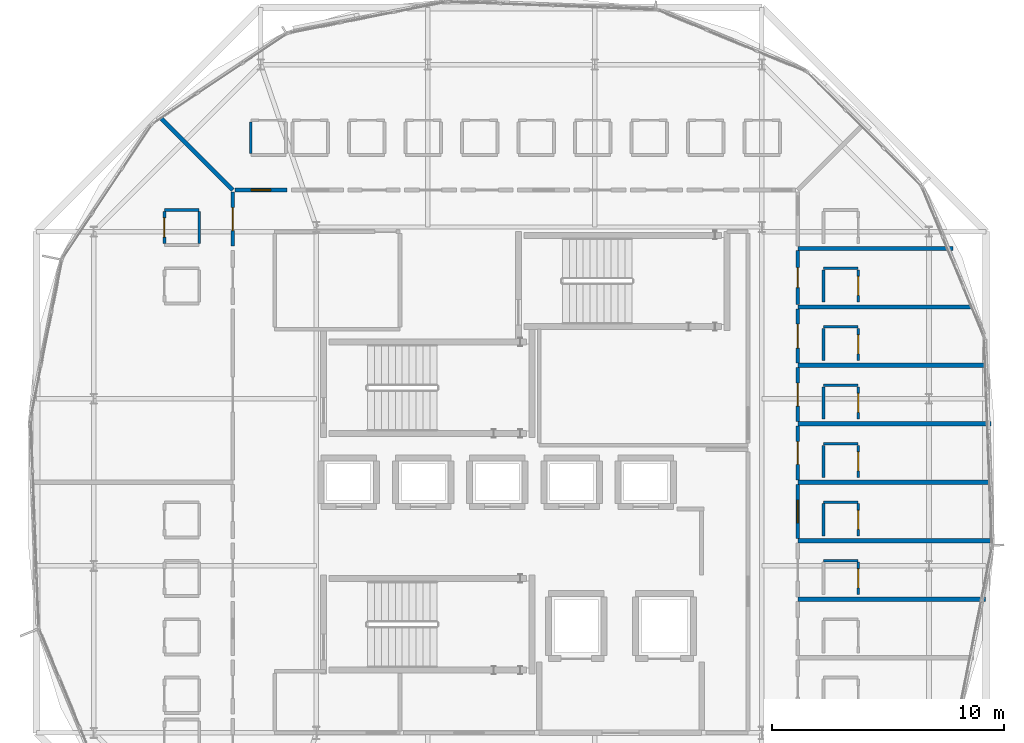
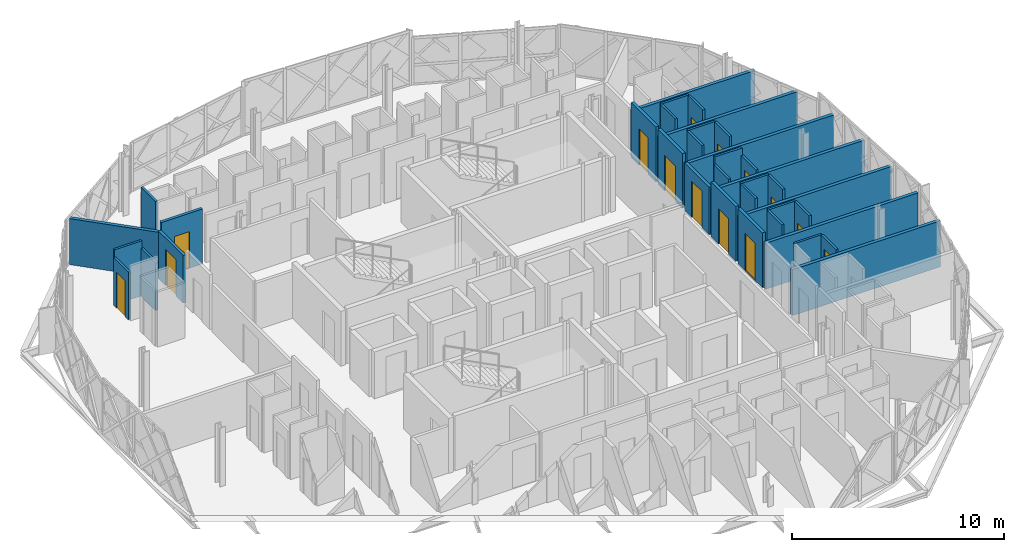
# One storey, part 17 of 24: 36 walls, 14 doors, 14 openings.
"""IFC4 building model written with IfcOpenShell, lengths in metres."""

import ifcopenshell
import ifcopenshell.guid

model = None  # the IFC model being written
_history = None  # IfcOwnerHistory: only IFC2X3 demands one
_inside = {}  # id of a spatial element -> (the spatial element, [elements in it])
_under = {}  # id of a project, library or spatial element -> (it, [spatial elements below it])
_declared = {}  # id of a project -> (the project, [libraries it declares])
_typed = {}  # id of a type object -> (the type object, [elements of that type])
_made_of = {}  # id of a material, layer set ... -> (it, [elements and type objects made of it])


def new_model(schema):
    """Start an empty IFC model of exactly this schema.

    Asked for "IFC4X3", IfcOpenShell would pick the latest addendum, in which some entities
    have other attributes; the version numbers below select the first issue.
    IFC2X3 requires an IfcOwnerHistory on every rooted entity: one is made here for all.
    """
    global model, _history
    if schema == "IFC4X3":
        model = ifcopenshell.file(schema_version=(4, 3, 0, 0))
    else:
        model = ifcopenshell.file(schema=schema)
    _inside.clear()
    _under.clear()
    _declared.clear()
    _typed.clear()
    _made_of.clear()
    _history = None
    if model.schema == "IFC2X3":
        org = make("IfcOrganization", Name="unknown")
        user = make(
            "IfcPersonAndOrganization",
            ThePerson=make("IfcPerson", FamilyName="unknown"),
            TheOrganization=org,
        )
        app = make(
            "IfcApplication",
            ApplicationDeveloper=org,
            Version="unknown",
            ApplicationFullName="unknown",
            ApplicationIdentifier="unknown",
        )
        _history = make(
            "IfcOwnerHistory",
            OwningUser=user,
            OwningApplication=app,
            ChangeAction="ADDED",
            CreationDate=0,
        )
    return model


def make(cls, **values):
    """One entity of the class cls with the attributes given. An attribute that is None is left unset."""
    return model.create_entity(
        cls, **{name: value for name, value in values.items() if value is not None}
    )


def rooted(cls, **values):
    """An entity with a GlobalId (a new one), such as an element, a storey or a relation."""
    return make(cls, GlobalId=ifcopenshell.guid.new(), OwnerHistory=_history, **values)


def si_unit(unit_type, name, prefix=None):
    """IfcSIUnit, for example si_unit("LENGTHUNIT", "METRE", prefix="MILLI")."""
    return make("IfcSIUnit", UnitType=unit_type, Prefix=prefix, Name=name)


def assignment(units):
    """IfcUnitAssignment: the units of a project."""
    return None if units is None else make("IfcUnitAssignment", Units=units)


def point(xyz):
    """IfcCartesianPoint."""
    return None if xyz is None else make("IfcCartesianPoint", Coordinates=xyz)


def direction(xyz):
    """IfcDirection."""
    return None if xyz is None else make("IfcDirection", DirectionRatios=xyz)


def frame(location, z_axis=None, x_axis=None):
    """IfcAxis2Placement3D, a coordinate frame: its origin and axes. An axis left out is left unset."""
    return make(
        "IfcAxis2Placement3D",
        Location=point(location),
        Axis=direction(z_axis),
        RefDirection=direction(x_axis),
    )


def frame_2d(location, x_axis=None):
    """IfcAxis2Placement2D, a coordinate frame in the plane: its origin and x axis."""
    return make(
        "IfcAxis2Placement2D", Location=point(location), RefDirection=direction(x_axis)
    )


def origin():
    """The frame at (0, 0, 0) with its axes left unset."""
    return frame((0.0, 0.0, 0.0))


def place(relative_to, where):
    """IfcLocalPlacement: puts the frame where relative to a parent placement (None: the world)."""
    return make(
        "IfcLocalPlacement", PlacementRelTo=relative_to, RelativePlacement=where
    )


def context(
    kind, dimensions, precision=None, world=None, true_north=None, identifier=None
):
    """IfcGeometricRepresentationContext, for example the 3D "Model" context."""
    return make(
        "IfcGeometricRepresentationContext",
        ContextIdentifier=identifier,
        ContextType=kind,
        CoordinateSpaceDimension=dimensions,
        Precision=precision,
        WorldCoordinateSystem=world,
        TrueNorth=true_north,
    )


def subcontext(parent, identifier, kind, view, scale=None):
    """IfcGeometricRepresentationSubContext, for example "Body" below "Model"."""
    return make(
        "IfcGeometricRepresentationSubContext",
        ContextIdentifier=identifier,
        ContextType=kind,
        ParentContext=parent,
        TargetScale=scale,
        TargetView=view,
    )


def project(units=None, contexts=None):
    """IfcProject with its units and contexts."""
    return rooted(
        "IfcProject",
        Name="project",
        RepresentationContexts=contexts,
        UnitsInContext=assignment(units),
    )


def spatial(cls, under=None, at=None, **own):
    """A site, building, storey or space (cls), placed at a placement, below another one or the project."""
    s = rooted(cls, ObjectPlacement=at, **own)
    if under is not None:
        _under.setdefault(under.id(), (under, []))[1].append(s)
    return s


def profile(cls, at=None, kind="AREA", **sizes):
    """A parametric profile (cls). Its sizes go by their IFC names, for example OverallWidth=200.0."""
    return make(cls, ProfileType=kind, Position=at, **sizes)


def rectangle(**sizes):
    """IfcRectangleProfileDef."""
    return profile("IfcRectangleProfileDef", **sizes)


def extrude(swept, where, along, depth):
    """IfcExtrudedAreaSolid: the profile swept, set in the frame where, extruded along a direction by depth."""
    return make(
        "IfcExtrudedAreaSolid",
        SweptArea=swept,
        Position=where,
        ExtrudedDirection=direction(along),
        Depth=depth,
    )


def shape(context_of_items, identifier, shape_type, items):
    """IfcShapeRepresentation: the items that make up one representation, for example the "Body"."""
    return make(
        "IfcShapeRepresentation",
        ContextOfItems=context_of_items,
        RepresentationIdentifier=identifier,
        RepresentationType=shape_type,
        Items=items,
    )


def material(Name=None, Category=None):
    """IfcMaterial."""
    return make("IfcMaterial", Name=Name, Category=Category)


def layer(
    of_material, thickness, ventilated=None, Name=None, Category=None, Priority=None
):
    """IfcMaterialLayer: one layer of a wall or slab, of a material (None: an air gap)."""
    return make(
        "IfcMaterialLayer",
        Material=of_material,
        LayerThickness=thickness,
        IsVentilated=ventilated,
        Name=Name,
        Category=Category,
        Priority=Priority,
    )


def layer_set(layers, Name=None):
    """IfcMaterialLayerSet."""
    return make("IfcMaterialLayerSet", MaterialLayers=layers, LayerSetName=Name)


def made_of(thing, what):
    """Note that an element or type object is made of a material, layer set ...; save() writes the relation."""
    if what is not None:
        _made_of.setdefault(what.id(), (what, []))[1].append(thing)
    return thing


def type_object(cls, material=None, **own):
    """A type object (cls), such as IfcWallType, which elements share."""
    return made_of(rooted(cls, **own), material)


def element(
    cls,
    number,
    at=None,
    inside=None,
    cuts=None,
    type_object=None,
    material=None,
    context=None,
    identifier="Body",
    shape_type=None,
    held_by="IfcProductDefinitionShape",
    body=None,
    shapes=None,
    **own,
):
    """One element of the class cls, such as IfcWall. Its Tag is "e" and its number.

    at: its placement. inside: the storey or other place that contains it. cuts: it is an
    opening in that element (IfcRelVoidsElement). A single representation is given by context,
    identifier, shape_type and body (its items); several are given by shapes. held_by: the class
    of the entity that holds the representations. save() writes the other relations.
    """
    e = rooted(cls, Tag="e%d" % number, ObjectPlacement=at, **own)
    if body is not None:
        shapes = [shape(context, identifier, shape_type, body)]
    if shapes is not None:
        e.Representation = make(held_by, Representations=shapes)
    if inside is not None:
        _inside.setdefault(inside.id(), (inside, []))[1].append(e)
    if cuts is not None:
        rooted(
            "IfcRelVoidsElement", RelatingBuildingElement=cuts, RelatedOpeningElement=e
        )
    if type_object is not None:
        _typed.setdefault(type_object.id(), (type_object, []))[1].append(e)
    return made_of(e, material)


def fill(opening, filler):
    """IfcRelFillsElement: the door or window that sits in an opening."""
    return rooted(
        "IfcRelFillsElement",
        RelatingOpeningElement=opening,
        RelatedBuildingElement=filler,
    )


def aggregate(whole, parts):
    """IfcRelAggregates: a whole, such as a stair, and the parts it consists of."""
    return rooted("IfcRelAggregates", RelatingObject=whole, RelatedObjects=parts)


def save(model, path):
    """Write the relations noted so far, then the file.

    IfcRelAggregates (storeys below a building ...), IfcRelContainedInSpatialStructure (elements
    in a storey), IfcRelDefinesByType, IfcRelAssociatesMaterial and IfcRelDeclares: one each for
    every whole, place, type object, material and project.
    """
    for whole, parts in _under.values():
        aggregate(whole, parts)
    for where, things in _inside.values():
        rooted(
            "IfcRelContainedInSpatialStructure",
            RelatedElements=things,
            RelatingStructure=where,
        )
    for kind, things in _typed.values():
        rooted("IfcRelDefinesByType", RelatedObjects=things, RelatingType=kind)
    for what, things in _made_of.values():
        rooted("IfcRelAssociatesMaterial", RelatedObjects=things, RelatingMaterial=what)
    for by, libraries in _declared.values():
        rooted("IfcRelDeclares", RelatingContext=by, RelatedDefinitions=libraries)
    model.write(path)


model = new_model("IFC4")

# Units and contexts
model_context = context("Model", 3, precision=1e-05, world=origin(), true_north=direction((0.0, 1.0)))
body_context = subcontext(model_context, "Body", "Model", "MODEL_VIEW")
ifc_project = project(units=[si_unit("LENGTHUNIT", "METRE"), si_unit("AREAUNIT", "SQUARE_METRE"), si_unit("VOLUMEUNIT", "CUBIC_METRE"), si_unit("PLANEANGLEUNIT", "RADIAN"), si_unit("MASSUNIT", "GRAM", prefix="KILO")], contexts=[model_context])

# Site, building, storey
site_placement = place(None, origin())
site = spatial("IfcSite", under=ifc_project, at=site_placement, CompositionType="ELEMENT")
building_placement = place(site_placement, origin())
building = spatial("IfcBuilding", under=site, at=building_placement, Name="Zevrakil Square Congress Hotel", CompositionType="ELEMENT")
storey_placement = place(building_placement, frame((0.0, 0.0, 31.699951171875)))
storey = spatial("IfcBuildingStorey", under=building, at=storey_placement, Name="L09", CompositionType="ELEMENT", Elevation=31.699951171875)

# Wall, opening, door
ifc_material_1 = material(Name="Gypsum Acoustic Stud Partition")
ifc_layer_1 = layer(ifc_material_1, 0.159912109375)
ifc_layer_set_1 = layer_set([ifc_layer_1], Name="Gypsum Acoustic Stud Partition")
wall_type_1 = type_object("IfcWallType", Name="WAL-CORR-160", PredefinedType="PARTITIONING", material=ifc_layer_set_1)
wall_1_placement = place(storey_placement, frame((157.550048828125, 25.175048828125, 0.0), z_axis=(0.0, 0.0, 1.0), x_axis=(0.0, 1.0, 0.0)))
wall_1 = element("IfcWall", 1, at=wall_1_placement, inside=storey, type_object=wall_type_1, Name="L09 interior partition PW-L09-1443", PredefinedType="PARTITIONING", context=body_context, shape_type="SweptSolid", body=[
    extrude(rectangle(XDim=2.329833984375, YDim=0.159912109375, at=frame_2d((1.1650390625, 0.0))), origin(), (0.0, 0.0, 1.0), 3.170166015625),
])
opening_1_placement = place(wall_1_placement, frame((0.678955078125, 0.0, 0.0)))
opening_1 = element("IfcOpeningElement", 2, at=opening_1_placement, cuts=wall_1, Name="Opening ID-H11", PredefinedType="OPENING", context=body_context, shape_type="SweptSolid", body=[
    extrude(rectangle(XDim=0.971923828125, YDim=2.159912109375, at=frame_2d((0.48583984375, 1.080078125))), frame((0.0, 0.08984375, 0.0), z_axis=(0.0, -1.0, 0.0), x_axis=(1.0, 0.0, 0.0)), (0.0, 0.0, 1.0), 0.179931640625),
])
ifc_material_2 = material(Name="Acoustic Timber Fire Door", Category="wood")
door_type_1 = type_object("IfcDoorType", Name="DOR-INT-H11", OperationType="NOTDEFINED", PredefinedType="DOOR", material=ifc_material_2)
door_1_placement = place(opening_1_placement, origin())
door_1 = element("IfcDoor", 3, at=door_1_placement, inside=storey, type_object=door_type_1, Name="L09 interior door 562", OperationType="SINGLE_SWING_RIGHT", OverallHeight=2.159912109375, OverallWidth=0.971923828125, PredefinedType="DOOR", context=body_context, shape_type="SweptSolid", body=[
    extrude(rectangle(XDim=0.971923828125, YDim=2.159912109375, at=frame_2d((0.48583984375, 1.080078125))), frame((0.0, 0.02490234375, 0.0), z_axis=(0.0, -1.0, 0.0), x_axis=(1.0, 0.0, 0.0)), (0.0, 0.0, 1.0), 0.050048828125),
])
fill(opening_1, door_1)

wall_2_placement = place(storey_placement, frame((157.550048828125, 27.695068359375, 0.0), z_axis=(0.0, 0.0, 1.0), x_axis=(0.0, 1.0, 0.0)))
wall_2 = element("IfcWall", 4, at=wall_2_placement, inside=storey, type_object=wall_type_1, Name="L09 interior partition PW-L09-1448", PredefinedType="PARTITIONING", context=body_context, shape_type="SweptSolid", body=[
    extrude(rectangle(XDim=2.329833984375, YDim=0.159912109375, at=frame_2d((1.1650390625, 0.0))), origin(), (0.0, 0.0, 1.0), 3.170166015625),
])
opening_2_placement = place(wall_2_placement, frame((0.675048828125, 0.0, 0.0)))
opening_2 = element("IfcOpeningElement", 5, at=opening_2_placement, cuts=wall_2, Name="Opening ID-G06", PredefinedType="OPENING", context=body_context, shape_type="SweptSolid", body=[
    extrude(rectangle(XDim=0.97998046875, YDim=2.050048828125, at=frame_2d((0.489990234375, 1.02490234375))), frame((0.0, 0.08984375, 0.0), z_axis=(0.0, -1.0, 0.0), x_axis=(1.0, 0.0, 0.0)), (0.0, 0.0, 1.0), 0.179931640625),
])
ifc_material_3 = material(Name="Acoustic Timber Fire Door", Category="wood")
door_type_2 = type_object("IfcDoorType", Name="DOR-INT-G06", OperationType="NOTDEFINED", PredefinedType="DOOR", material=ifc_material_3)
door_2_placement = place(opening_2_placement, origin())
door_2 = element("IfcDoor", 6, at=door_2_placement, inside=storey, type_object=door_type_2, Name="L09 interior door 564", OperationType="SINGLE_SWING_RIGHT", OverallHeight=2.050048828125, OverallWidth=0.97998046875, PredefinedType="DOOR", context=body_context, shape_type="SweptSolid", body=[
    extrude(rectangle(XDim=0.97998046875, YDim=2.050048828125, at=frame_2d((0.489990234375, 1.02490234375))), frame((0.0, 0.02490234375, 0.0), z_axis=(0.0, -1.0, 0.0), x_axis=(1.0, 0.0, 0.0)), (0.0, 0.0, 1.0), 0.050048828125),
])
fill(opening_2, door_2)

wall_3_placement = place(storey_placement, frame((157.550048828125, 30.215087890625, 0.0), z_axis=(0.0, 0.0, 1.0), x_axis=(0.0, 1.0, 0.0)))
wall_3 = element("IfcWall", 7, at=wall_3_placement, inside=storey, type_object=wall_type_1, Name="L09 interior partition PW-L09-1453", PredefinedType="PARTITIONING", context=body_context, shape_type="SweptSolid", body=[
    extrude(rectangle(XDim=2.329833984375, YDim=0.159912109375, at=frame_2d((1.1650390625, 0.0))), origin(), (0.0, 0.0, 1.0), 2.755126953125),
])
opening_3_placement = place(wall_3_placement, frame((0.6669921875, 0.0, 0.0)))
opening_3 = element("IfcOpeningElement", 8, at=opening_3_placement, cuts=wall_3, Name="Opening ID-H13", PredefinedType="OPENING", context=body_context, shape_type="SweptSolid", body=[
    extrude(rectangle(XDim=0.99609375, YDim=2.10009765625, at=frame_2d((0.498046875, 1.050048828125))), frame((0.0, 0.08984375, 0.0), z_axis=(0.0, -1.0, 0.0), x_axis=(1.0, 0.0, 0.0)), (0.0, 0.0, 1.0), 0.179931640625),
])
ifc_material_4 = material(Name="Acoustic Timber Fire Door", Category="wood")
door_type_3 = type_object("IfcDoorType", Name="DOR-INT-H13", OperationType="NOTDEFINED", PredefinedType="DOOR", material=ifc_material_4)
door_3_placement = place(opening_3_placement, origin())
door_3 = element("IfcDoor", 9, at=door_3_placement, inside=storey, type_object=door_type_3, Name="L09 interior door 566", OperationType="SINGLE_SWING_RIGHT", OverallHeight=2.10009765625, OverallWidth=0.99609375, PredefinedType="DOOR", context=body_context, shape_type="SweptSolid", body=[
    extrude(rectangle(XDim=0.99609375, YDim=2.10009765625, at=frame_2d((0.498046875, 1.050048828125))), frame((0.0, 0.02490234375, 0.0), z_axis=(0.0, -1.0, 0.0), x_axis=(1.0, 0.0, 0.0)), (0.0, 0.0, 1.0), 0.050048828125),
])
fill(opening_3, door_3)

wall_4_placement = place(storey_placement, frame((157.550048828125, 32.735107421875, 0.0), z_axis=(0.0, 0.0, 1.0), x_axis=(0.0, 1.0, 0.0)))
wall_4 = element("IfcWall", 10, at=wall_4_placement, inside=storey, type_object=wall_type_1, Name="L09 interior partition PW-L09-1458", PredefinedType="PARTITIONING", context=body_context, shape_type="SweptSolid", body=[
    extrude(rectangle(XDim=2.329833984375, YDim=0.159912109375, at=frame_2d((1.1650390625, 0.0))), origin(), (0.0, 0.0, 1.0), 3.170166015625),
])
opening_4_placement = place(wall_4_placement, frame((0.64990234375, 0.0, 0.0)))
opening_4 = element("IfcOpeningElement", 11, at=opening_4_placement, cuts=wall_4, Name="Opening ID-G08", PredefinedType="OPENING", context=body_context, shape_type="SweptSolid", body=[
    extrude(rectangle(XDim=1.030029296875, YDim=2.050048828125, at=frame_2d((0.51513671875, 1.02490234375))), frame((0.0, 0.08984375, 0.0), z_axis=(0.0, -1.0, 0.0), x_axis=(1.0, 0.0, 0.0)), (0.0, 0.0, 1.0), 0.179931640625),
])
ifc_material_5 = material(Name="Acoustic Timber Fire Door", Category="wood")
door_type_4 = type_object("IfcDoorType", Name="DOR-INT-G08", OperationType="NOTDEFINED", PredefinedType="DOOR", material=ifc_material_5)
door_4_placement = place(opening_4_placement, origin())
door_4 = element("IfcDoor", 12, at=door_4_placement, inside=storey, type_object=door_type_4, Name="L09 interior door 568", OperationType="SINGLE_SWING_RIGHT", OverallHeight=2.050048828125, OverallWidth=1.030029296875, PredefinedType="DOOR", context=body_context, shape_type="SweptSolid", body=[
    extrude(rectangle(XDim=1.030029296875, YDim=2.050048828125, at=frame_2d((0.51513671875, 1.02490234375))), frame((0.0, 0.02490234375, 0.0), z_axis=(0.0, -1.0, 0.0), x_axis=(1.0, 0.0, 0.0)), (0.0, 0.0, 1.0), 0.050048828125),
])
fill(opening_4, door_4)

wall_5_placement = place(storey_placement, frame((157.550048828125, 35.2548828125, 0.0), z_axis=(0.0, 0.0, 1.0), x_axis=(0.0, 1.0, 0.0)))
wall_5 = element("IfcWall", 13, at=wall_5_placement, inside=storey, type_object=wall_type_1, Name="L09 interior partition PW-L09-1463", PredefinedType="PARTITIONING", context=body_context, shape_type="SweptSolid", body=[
    extrude(rectangle(XDim=2.330078125, YDim=0.159912109375, at=frame_2d((1.1650390625, 0.0))), origin(), (0.0, 0.0, 1.0), 3.170166015625),
])
opening_5_placement = place(wall_5_placement, frame((0.739013671875, 0.0, 0.0)))
opening_5 = element("IfcOpeningElement", 14, at=opening_5_placement, cuts=wall_5, Name="Opening ID-H01", PredefinedType="OPENING", context=body_context, shape_type="SweptSolid", body=[
    extrude(rectangle(XDim=0.85205078125, YDim=2.10009765625, at=frame_2d((0.426025390625, 1.050048828125))), frame((0.0, 0.08984375, 0.0), z_axis=(0.0, -1.0, 0.0), x_axis=(1.0, 0.0, 0.0)), (0.0, 0.0, 1.0), 0.179931640625),
])
ifc_material_6 = material(Name="Acoustic Timber Fire Door", Category="wood")
door_type_5 = type_object("IfcDoorType", Name="DOR-INT-H01", OperationType="NOTDEFINED", PredefinedType="DOOR", material=ifc_material_6)
door_5_placement = place(opening_5_placement, origin())
door_5 = element("IfcDoor", 15, at=door_5_placement, inside=storey, type_object=door_type_5, Name="L09 interior door 570", OperationType="SINGLE_SWING_RIGHT", OverallHeight=2.10009765625, OverallWidth=0.85205078125, PredefinedType="DOOR", context=body_context, shape_type="SweptSolid", body=[
    extrude(rectangle(XDim=0.85205078125, YDim=2.10009765625, at=frame_2d((0.426025390625, 1.050048828125))), frame((0.0, 0.02490234375, 0.0), z_axis=(0.0, -1.0, 0.0), x_axis=(1.0, 0.0, 0.0)), (0.0, 0.0, 1.0), 0.050048828125),
])
fill(opening_5, door_5)

wall_6_placement = place(storey_placement, frame((133.294921875, 40.199951171875, 0.0), z_axis=(0.0, 0.0, 1.0), x_axis=(1.0, 0.0, 0.0)))
wall_6 = element("IfcWall", 16, at=wall_6_placement, inside=storey, type_object=wall_type_1, Name="L09 interior partition PW-L09-1518", PredefinedType="PARTITIONING", context=body_context, shape_type="SweptSolid", body=[
    extrude(rectangle(XDim=2.2451171875, YDim=0.159912109375, at=frame_2d((1.12255859375, 0.0))), origin(), (0.0, 0.0, 1.0), 3.170166015625),
])
opening_6_placement = place(wall_6_placement, frame((0.70751953125, 0.0, 0.0)))
opening_6 = element("IfcOpeningElement", 17, at=opening_6_placement, cuts=wall_6, Name="Opening ID-G10", PredefinedType="OPENING", context=body_context, shape_type="SweptSolid", body=[
    extrude(rectangle(XDim=0.830078125, YDim=2.110107421875, at=frame_2d((0.4150390625, 1.05517578125))), frame((0.0, 0.08984375, 0.0), z_axis=(0.0, -1.0, 0.0), x_axis=(1.0, 0.0, 0.0)), (0.0, 0.0, 1.0), 0.179931640625),
])
ifc_material_7 = material(Name="Acoustic Timber Fire Door", Category="wood")
door_type_6 = type_object("IfcDoorType", Name="DOR-INT-G10", OperationType="NOTDEFINED", PredefinedType="DOOR", material=ifc_material_7)
door_6_placement = place(opening_6_placement, origin())
door_6 = element("IfcDoor", 18, at=door_6_placement, inside=storey, type_object=door_type_6, Name="L09 interior door 592", OperationType="SINGLE_SWING_RIGHT", OverallHeight=2.110107421875, OverallWidth=0.830078125, PredefinedType="DOOR", context=body_context, shape_type="SweptSolid", body=[
    extrude(rectangle(XDim=0.830078125, YDim=2.110107421875, at=frame_2d((0.4150390625, 1.05517578125))), frame((0.0, 0.02490234375, 0.0), z_axis=(0.0, -1.0, 0.0), x_axis=(1.0, 0.0, 0.0)), (0.0, 0.0, 1.0), 0.050048828125),
])
fill(opening_6, door_6)

wall_7_placement = place(storey_placement, frame((133.199951171875, 37.77490234375, 0.0), z_axis=(0.0, 0.0, 1.0), x_axis=(0.0, 1.0, 0.0)))
wall_7 = element("IfcWall", 19, at=wall_7_placement, inside=storey, type_object=wall_type_1, Name="L09 interior partition PW-L09-1524", PredefinedType="PARTITIONING", context=body_context, shape_type="SweptSolid", body=[
    extrude(rectangle(XDim=2.330078125, YDim=0.159912109375, at=frame_2d((1.1650390625, 0.0))), origin(), (0.0, 0.0, 1.0), 2.755126953125),
])
opening_7_placement = place(wall_7_placement, frame((0.6669921875, 0.0, 0.0)))
opening_7 = element("IfcOpeningElement", 20, at=opening_7_placement, cuts=wall_7, Name="Opening ID-H13", PredefinedType="OPENING", context=body_context, shape_type="SweptSolid", body=[
    extrude(rectangle(XDim=0.99609375, YDim=2.10009765625, at=frame_2d((0.498046875, 1.050048828125))), frame((0.0, 0.08984375, 0.0), z_axis=(0.0, -1.0, 0.0), x_axis=(1.0, 0.0, 0.0)), (0.0, 0.0, 1.0), 0.179931640625),
])
door_7_placement = place(opening_7_placement, origin())
door_7 = element("IfcDoor", 21, at=door_7_placement, inside=storey, type_object=door_type_3, Name="L09 interior door 594", OperationType="SINGLE_SWING_RIGHT", OverallHeight=2.10009765625, OverallWidth=0.99609375, PredefinedType="DOOR", context=body_context, shape_type="SweptSolid", body=[
    extrude(rectangle(XDim=0.99609375, YDim=2.10009765625, at=frame_2d((0.498046875, 1.050048828125))), frame((0.0, 0.02490234375, 0.0), z_axis=(0.0, -1.0, 0.0), x_axis=(1.0, 0.0, 0.0)), (0.0, 0.0, 1.0), 0.050048828125),
])
fill(opening_7, door_7)

# Wall
ifc_material_8 = material(Name="Moisture-Resistant Gypsum Partition")
ifc_layer_2 = layer(ifc_material_8, 0.1201171875)
ifc_layer_set_2 = layer_set([ifc_layer_2], Name="Moisture-Resistant Gypsum Partition")
wall_type_2 = type_object("IfcWallType", Name="WAL-ENS-120", PredefinedType="PARTITIONING", material=ifc_layer_set_2)
wall_8_placement = place(storey_placement, frame((158.64990234375, 24.219970703125, 0.0), z_axis=(0.0, 0.0, 1.0), x_axis=(1.0, 0.0, 0.0)))
element("IfcWall", 22, at=wall_8_placement, inside=storey, type_object=wall_type_2, Name="L09 interior partition PW-L09-1439", PredefinedType="PARTITIONING", context=body_context, shape_type="SweptSolid", body=[
    extrude(rectangle(XDim=1.5, YDim=0.1201171875, at=frame_2d((0.75, 0.0))), origin(), (0.0, 0.0, 1.0), 2.755126953125),
])

# Wall, opening, door
wall_9_placement = place(storey_placement, frame((160.14990234375, 22.764892578125, 0.0), z_axis=(0.0, 0.0, 1.0), x_axis=(0.0, 1.0, 0.0)))
wall_9 = element("IfcWall", 23, at=wall_9_placement, inside=storey, type_object=wall_type_2, Name="L09 interior partition PW-L09-1441", PredefinedType="PARTITIONING", context=body_context, shape_type="SweptSolid", body=[
    extrude(rectangle(XDim=1.39013671875, YDim=0.1201171875, at=frame_2d((0.695068359375, 0.0))), origin(), (0.0, 0.0, 1.0), 2.755126953125),
])
opening_8_placement = place(wall_9_placement, frame((0.284912109375, 0.0, 0.0)))
opening_8 = element("IfcOpeningElement", 24, at=opening_8_placement, cuts=wall_9, Name="Opening ID-11", PredefinedType="OPENING", context=body_context, shape_type="SweptSolid", body=[
    extrude(rectangle(XDim=0.820068359375, YDim=2.080078125, at=frame_2d((0.41015625, 1.0400390625))), frame((0.0, 0.070068359375, 0.0), z_axis=(0.0, -1.0, 0.0), x_axis=(1.0, 0.0, 0.0)), (0.0, 0.0, 1.0), 0.14013671875),
])
ifc_material_9 = material(Name="Acoustic Timber Door", Category="wood")
door_type_7 = type_object("IfcDoorType", Name="DOR-INT-V01", OperationType="NOTDEFINED", PredefinedType="DOOR", material=ifc_material_9)
door_8_placement = place(opening_8_placement, origin())
door_8 = element("IfcDoor", 25, at=door_8_placement, inside=storey, type_object=door_type_7, Name="L09 interior door 561", OperationType="SINGLE_SWING_LEFT", OverallHeight=2.080078125, OverallWidth=0.820068359375, PredefinedType="DOOR", context=body_context, shape_type="SweptSolid", body=[
    extrude(rectangle(XDim=0.820068359375, YDim=2.080078125, at=frame_2d((0.41015625, 1.0400390625))), frame((0.0, 0.02490234375, 0.0), z_axis=(0.0, -1.0, 0.0), x_axis=(1.0, 0.0, 0.0)), (0.0, 0.0, 1.0), 0.050048828125),
])
fill(opening_8, door_8)

# Walls
wall_10_placement = place(storey_placement, frame((158.64990234375, 26.739990234375, 0.0), z_axis=(0.0, 0.0, 1.0), x_axis=(1.0, 0.0, 0.0)))
element("IfcWall", 26, at=wall_10_placement, inside=storey, type_object=wall_type_2, Name="L09 interior partition PW-L09-1444", PredefinedType="PARTITIONING", context=body_context, shape_type="SweptSolid", body=[
    extrude(rectangle(XDim=1.5, YDim=0.1201171875, at=frame_2d((0.75, 0.0))), origin(), (0.0, 0.0, 1.0), 3.170166015625),
])
wall_11_placement = place(storey_placement, frame((158.64990234375, 25.284912109375, 0.0), z_axis=(0.0, 0.0, 1.0), x_axis=(0.0, 1.0, 0.0)))
element("IfcWall", 27, at=wall_11_placement, inside=storey, type_object=wall_type_2, Name="L09 interior partition PW-L09-1445", PredefinedType="PARTITIONING", context=body_context, shape_type="SweptSolid", body=[
    extrude(rectangle(XDim=1.39013671875, YDim=0.1201171875, at=frame_2d((0.695068359375, 0.0))), origin(), (0.0, 0.0, 1.0), 3.170166015625),
])

# Wall, opening, door
wall_12_placement = place(storey_placement, frame((160.14990234375, 25.284912109375, 0.0), z_axis=(0.0, 0.0, 1.0), x_axis=(0.0, 1.0, 0.0)))
wall_12 = element("IfcWall", 28, at=wall_12_placement, inside=storey, type_object=wall_type_2, Name="L09 interior partition PW-L09-1446", PredefinedType="PARTITIONING", context=body_context, shape_type="SweptSolid", body=[
    extrude(rectangle(XDim=1.39013671875, YDim=0.1201171875, at=frame_2d((0.695068359375, 0.0))), origin(), (0.0, 0.0, 1.0), 3.170166015625),
])
opening_9_placement = place(wall_12_placement, frame((0.284912109375, 0.0, 0.0)))
opening_9 = element("IfcOpeningElement", 29, at=opening_9_placement, cuts=wall_12, Name="Opening ID-11", PredefinedType="OPENING", context=body_context, shape_type="SweptSolid", body=[
    extrude(rectangle(XDim=0.820068359375, YDim=2.080078125, at=frame_2d((0.41015625, 1.0400390625))), frame((0.0, 0.070068359375, 0.0), z_axis=(0.0, -1.0, 0.0), x_axis=(1.0, 0.0, 0.0)), (0.0, 0.0, 1.0), 0.14013671875),
])
door_9_placement = place(opening_9_placement, origin())
door_9 = element("IfcDoor", 30, at=door_9_placement, inside=storey, type_object=door_type_7, Name="L09 interior door 563", OperationType="SINGLE_SWING_LEFT", OverallHeight=2.080078125, OverallWidth=0.820068359375, PredefinedType="DOOR", context=body_context, shape_type="SweptSolid", body=[
    extrude(rectangle(XDim=0.820068359375, YDim=2.080078125, at=frame_2d((0.41015625, 1.0400390625))), frame((0.0, 0.02490234375, 0.0), z_axis=(0.0, -1.0, 0.0), x_axis=(1.0, 0.0, 0.0)), (0.0, 0.0, 1.0), 0.050048828125),
])
fill(opening_9, door_9)

# Walls
wall_13_placement = place(storey_placement, frame((158.64990234375, 29.260009765625, 0.0), z_axis=(0.0, 0.0, 1.0), x_axis=(1.0, 0.0, 0.0)))
element("IfcWall", 31, at=wall_13_placement, inside=storey, type_object=wall_type_2, Name="L09 interior partition PW-L09-1449", PredefinedType="PARTITIONING", context=body_context, shape_type="SweptSolid", body=[
    extrude(rectangle(XDim=1.5, YDim=0.1201171875, at=frame_2d((0.75, 0.0))), origin(), (0.0, 0.0, 1.0), 3.170166015625),
])
wall_14_placement = place(storey_placement, frame((158.64990234375, 27.804931640625, 0.0), z_axis=(0.0, 0.0, 1.0), x_axis=(0.0, 1.0, 0.0)))
element("IfcWall", 32, at=wall_14_placement, inside=storey, type_object=wall_type_2, Name="L09 interior partition PW-L09-1450", PredefinedType="PARTITIONING", context=body_context, shape_type="SweptSolid", body=[
    extrude(rectangle(XDim=1.39013671875, YDim=0.1201171875, at=frame_2d((0.695068359375, 0.0))), origin(), (0.0, 0.0, 1.0), 3.170166015625),
])

# Wall, opening, door
wall_15_placement = place(storey_placement, frame((160.14990234375, 27.804931640625, 0.0), z_axis=(0.0, 0.0, 1.0), x_axis=(0.0, 1.0, 0.0)))
wall_15 = element("IfcWall", 33, at=wall_15_placement, inside=storey, type_object=wall_type_2, Name="L09 interior partition PW-L09-1451", PredefinedType="PARTITIONING", context=body_context, shape_type="SweptSolid", body=[
    extrude(rectangle(XDim=1.39013671875, YDim=0.1201171875, at=frame_2d((0.695068359375, 0.0))), origin(), (0.0, 0.0, 1.0), 3.170166015625),
])
opening_10_placement = place(wall_15_placement, frame((0.284912109375, 0.0, 0.0)))
opening_10 = element("IfcOpeningElement", 34, at=opening_10_placement, cuts=wall_15, Name="Opening ID-11", PredefinedType="OPENING", context=body_context, shape_type="SweptSolid", body=[
    extrude(rectangle(XDim=0.820068359375, YDim=2.080078125, at=frame_2d((0.41015625, 1.0400390625))), frame((0.0, 0.070068359375, 0.0), z_axis=(0.0, -1.0, 0.0), x_axis=(1.0, 0.0, 0.0)), (0.0, 0.0, 1.0), 0.14013671875),
])
door_10_placement = place(opening_10_placement, origin())
door_10 = element("IfcDoor", 35, at=door_10_placement, inside=storey, type_object=door_type_7, Name="L09 interior door 565", OperationType="SINGLE_SWING_LEFT", OverallHeight=2.080078125, OverallWidth=0.820068359375, PredefinedType="DOOR", context=body_context, shape_type="SweptSolid", body=[
    extrude(rectangle(XDim=0.820068359375, YDim=2.080078125, at=frame_2d((0.41015625, 1.0400390625))), frame((0.0, 0.02490234375, 0.0), z_axis=(0.0, -1.0, 0.0), x_axis=(1.0, 0.0, 0.0)), (0.0, 0.0, 1.0), 0.050048828125),
])
fill(opening_10, door_10)

# Walls
wall_16_placement = place(storey_placement, frame((158.64990234375, 31.780029296875, 0.0), z_axis=(0.0, 0.0, 1.0), x_axis=(1.0, 0.0, 0.0)))
element("IfcWall", 36, at=wall_16_placement, inside=storey, type_object=wall_type_2, Name="L09 interior partition PW-L09-1454", PredefinedType="PARTITIONING", context=body_context, shape_type="SweptSolid", body=[
    extrude(rectangle(XDim=1.5, YDim=0.1201171875, at=frame_2d((0.75, 0.0))), origin(), (0.0, 0.0, 1.0), 3.170166015625),
])
wall_17_placement = place(storey_placement, frame((158.64990234375, 30.324951171875, 0.0), z_axis=(0.0, 0.0, 1.0), x_axis=(0.0, 1.0, 0.0)))
element("IfcWall", 37, at=wall_17_placement, inside=storey, type_object=wall_type_2, Name="L09 interior partition PW-L09-1455", PredefinedType="PARTITIONING", context=body_context, shape_type="SweptSolid", body=[
    extrude(rectangle(XDim=1.39013671875, YDim=0.1201171875, at=frame_2d((0.695068359375, 0.0))), origin(), (0.0, 0.0, 1.0), 2.755126953125),
])

# Wall, opening, door
wall_18_placement = place(storey_placement, frame((160.14990234375, 30.324951171875, 0.0), z_axis=(0.0, 0.0, 1.0), x_axis=(0.0, 1.0, 0.0)))
wall_18 = element("IfcWall", 38, at=wall_18_placement, inside=storey, type_object=wall_type_2, Name="L09 interior partition PW-L09-1456", PredefinedType="PARTITIONING", context=body_context, shape_type="SweptSolid", body=[
    extrude(rectangle(XDim=1.39013671875, YDim=0.1201171875, at=frame_2d((0.695068359375, 0.0))), origin(), (0.0, 0.0, 1.0), 2.755126953125),
])
opening_11_placement = place(wall_18_placement, frame((0.284912109375, 0.0, 0.0)))
opening_11 = element("IfcOpeningElement", 39, at=opening_11_placement, cuts=wall_18, Name="Opening ID-11", PredefinedType="OPENING", context=body_context, shape_type="SweptSolid", body=[
    extrude(rectangle(XDim=0.820068359375, YDim=2.080078125, at=frame_2d((0.41015625, 1.0400390625))), frame((0.0, 0.070068359375, 0.0), z_axis=(0.0, -1.0, 0.0), x_axis=(1.0, 0.0, 0.0)), (0.0, 0.0, 1.0), 0.14013671875),
])
door_11_placement = place(opening_11_placement, origin())
door_11 = element("IfcDoor", 40, at=door_11_placement, inside=storey, type_object=door_type_7, Name="L09 interior door 567", OperationType="SINGLE_SWING_LEFT", OverallHeight=2.080078125, OverallWidth=0.820068359375, PredefinedType="DOOR", context=body_context, shape_type="SweptSolid", body=[
    extrude(rectangle(XDim=0.820068359375, YDim=2.080078125, at=frame_2d((0.41015625, 1.0400390625))), frame((0.0, 0.02490234375, 0.0), z_axis=(0.0, -1.0, 0.0), x_axis=(1.0, 0.0, 0.0)), (0.0, 0.0, 1.0), 0.050048828125),
])
fill(opening_11, door_11)

# Walls
wall_19_placement = place(storey_placement, frame((158.64990234375, 34.300048828125, 0.0), z_axis=(0.0, 0.0, 1.0), x_axis=(1.0, 0.0, 0.0)))
element("IfcWall", 41, at=wall_19_placement, inside=storey, type_object=wall_type_2, Name="L09 interior partition PW-L09-1459", PredefinedType="PARTITIONING", context=body_context, shape_type="SweptSolid", body=[
    extrude(rectangle(XDim=1.5, YDim=0.1201171875, at=frame_2d((0.75, 0.0))), origin(), (0.0, 0.0, 1.0), 3.170166015625),
])
wall_20_placement = place(storey_placement, frame((158.64990234375, 32.844970703125, 0.0), z_axis=(0.0, 0.0, 1.0), x_axis=(0.0, 1.0, 0.0)))
element("IfcWall", 42, at=wall_20_placement, inside=storey, type_object=wall_type_2, Name="L09 interior partition PW-L09-1460", PredefinedType="PARTITIONING", context=body_context, shape_type="SweptSolid", body=[
    extrude(rectangle(XDim=1.39013671875, YDim=0.1201171875, at=frame_2d((0.695068359375, 0.0))), origin(), (0.0, 0.0, 1.0), 3.170166015625),
])

# Wall, opening, door
wall_21_placement = place(storey_placement, frame((160.14990234375, 32.844970703125, 0.0), z_axis=(0.0, 0.0, 1.0), x_axis=(0.0, 1.0, 0.0)))
wall_21 = element("IfcWall", 43, at=wall_21_placement, inside=storey, type_object=wall_type_2, Name="L09 interior partition PW-L09-1461", PredefinedType="PARTITIONING", context=body_context, shape_type="SweptSolid", body=[
    extrude(rectangle(XDim=1.39013671875, YDim=0.1201171875, at=frame_2d((0.695068359375, 0.0))), origin(), (0.0, 0.0, 1.0), 3.170166015625),
])
opening_12_placement = place(wall_21_placement, frame((0.284912109375, 0.0, 0.0)))
opening_12 = element("IfcOpeningElement", 44, at=opening_12_placement, cuts=wall_21, Name="Opening ID-11", PredefinedType="OPENING", context=body_context, shape_type="SweptSolid", body=[
    extrude(rectangle(XDim=0.820068359375, YDim=2.080078125, at=frame_2d((0.41015625, 1.0400390625))), frame((0.0, 0.070068359375, 0.0), z_axis=(0.0, -1.0, 0.0), x_axis=(1.0, 0.0, 0.0)), (0.0, 0.0, 1.0), 0.14013671875),
])
door_12_placement = place(opening_12_placement, origin())
door_12 = element("IfcDoor", 45, at=door_12_placement, inside=storey, type_object=door_type_7, Name="L09 interior door 569", OperationType="SINGLE_SWING_LEFT", OverallHeight=2.080078125, OverallWidth=0.820068359375, PredefinedType="DOOR", context=body_context, shape_type="SweptSolid", body=[
    extrude(rectangle(XDim=0.820068359375, YDim=2.080078125, at=frame_2d((0.41015625, 1.0400390625))), frame((0.0, 0.02490234375, 0.0), z_axis=(0.0, -1.0, 0.0), x_axis=(1.0, 0.0, 0.0)), (0.0, 0.0, 1.0), 0.050048828125),
])
fill(opening_12, door_12)

# Walls
wall_22_placement = place(storey_placement, frame((158.64990234375, 36.820068359375, 0.0), z_axis=(0.0, 0.0, 1.0), x_axis=(1.0, 0.0, 0.0)))
element("IfcWall", 46, at=wall_22_placement, inside=storey, type_object=wall_type_2, Name="L09 interior partition PW-L09-1464", PredefinedType="PARTITIONING", context=body_context, shape_type="SweptSolid", body=[
    extrude(rectangle(XDim=1.5, YDim=0.1201171875, at=frame_2d((0.75, 0.0))), origin(), (0.0, 0.0, 1.0), 3.170166015625),
])
wall_23_placement = place(storey_placement, frame((158.64990234375, 35.364990234375, 0.0), z_axis=(0.0, 0.0, 1.0), x_axis=(0.0, 1.0, 0.0)))
element("IfcWall", 47, at=wall_23_placement, inside=storey, type_object=wall_type_2, Name="L09 interior partition PW-L09-1465", PredefinedType="PARTITIONING", context=body_context, shape_type="SweptSolid", body=[
    extrude(rectangle(XDim=1.389892578125, YDim=0.1201171875, at=frame_2d((0.69482421875, 0.0))), origin(), (0.0, 0.0, 1.0), 3.170166015625),
])

# Wall, opening, door
wall_24_placement = place(storey_placement, frame((160.14990234375, 35.364990234375, 0.0), z_axis=(0.0, 0.0, 1.0), x_axis=(0.0, 1.0, 0.0)))
wall_24 = element("IfcWall", 48, at=wall_24_placement, inside=storey, type_object=wall_type_2, Name="L09 interior partition PW-L09-1466", PredefinedType="PARTITIONING", context=body_context, shape_type="SweptSolid", body=[
    extrude(rectangle(XDim=1.389892578125, YDim=0.1201171875, at=frame_2d((0.69482421875, 0.0))), origin(), (0.0, 0.0, 1.0), 3.170166015625),
])
opening_13_placement = place(wall_24_placement, frame((0.284912109375, 0.0, 0.0)))
opening_13 = element("IfcOpeningElement", 49, at=opening_13_placement, cuts=wall_24, Name="Opening ID-11", PredefinedType="OPENING", context=body_context, shape_type="SweptSolid", body=[
    extrude(rectangle(XDim=0.820068359375, YDim=2.080078125, at=frame_2d((0.41015625, 1.0400390625))), frame((0.0, 0.070068359375, 0.0), z_axis=(0.0, -1.0, 0.0), x_axis=(1.0, 0.0, 0.0)), (0.0, 0.0, 1.0), 0.14013671875),
])
door_13_placement = place(opening_13_placement, origin())
door_13 = element("IfcDoor", 50, at=door_13_placement, inside=storey, type_object=door_type_7, Name="L09 interior door 571", OperationType="SINGLE_SWING_LEFT", OverallHeight=2.080078125, OverallWidth=0.820068359375, PredefinedType="DOOR", context=body_context, shape_type="SweptSolid", body=[
    extrude(rectangle(XDim=0.820068359375, YDim=2.080078125, at=frame_2d((0.41015625, 1.0400390625))), frame((0.0, 0.02490234375, 0.0), z_axis=(0.0, -1.0, 0.0), x_axis=(1.0, 0.0, 0.0)), (0.0, 0.0, 1.0), 0.050048828125),
])
fill(opening_13, door_13)

# Walls
wall_25_placement = place(storey_placement, frame((133.97509765625, 41.764892578125, 0.0), z_axis=(0.0, 0.0, 1.0), x_axis=(0.0, 1.0, 0.0)))
element("IfcWall", 51, at=wall_25_placement, inside=storey, type_object=wall_type_2, Name="L09 interior partition PW-L09-1521", PredefinedType="PARTITIONING", context=body_context, shape_type="SweptSolid", body=[
    extrude(rectangle(XDim=1.3701171875, YDim=0.1201171875, at=frame_2d((0.68505859375, 0.0))), origin(), (0.0, 0.0, 1.0), 3.170166015625),
])
wall_26_placement = place(storey_placement, frame((130.25, 39.340087890625, 0.0), z_axis=(0.0, 0.0, 1.0), x_axis=(1.0, 0.0, 0.0)))
element("IfcWall", 52, at=wall_26_placement, inside=storey, type_object=wall_type_2, Name="L09 interior partition PW-L09-1526", PredefinedType="PARTITIONING", context=body_context, shape_type="SweptSolid", body=[
    extrude(rectangle(XDim=1.5, YDim=0.1201171875, at=frame_2d((0.75, 0.0))), origin(), (0.0, 0.0, 1.0), 3.170166015625),
])

# Wall, opening, door
wall_27_placement = place(storey_placement, frame((130.25, 37.885009765625, 0.0), z_axis=(0.0, 0.0, 1.0), x_axis=(0.0, 1.0, 0.0)))
wall_27 = element("IfcWall", 53, at=wall_27_placement, inside=storey, type_object=wall_type_2, Name="L09 interior partition PW-L09-1527", PredefinedType="PARTITIONING", context=body_context, shape_type="SweptSolid", body=[
    extrude(rectangle(XDim=1.389892578125, YDim=0.1201171875, at=frame_2d((0.69482421875, 0.0))), origin(), (0.0, 0.0, 1.0), 2.755126953125),
])
opening_14_placement = place(wall_27_placement, frame((0.284912109375, 0.0, 0.0)))
opening_14 = element("IfcOpeningElement", 54, at=opening_14_placement, cuts=wall_27, Name="Opening ID-11", PredefinedType="OPENING", context=body_context, shape_type="SweptSolid", body=[
    extrude(rectangle(XDim=0.820068359375, YDim=2.080078125, at=frame_2d((0.41015625, 1.0400390625))), frame((0.0, 0.070068359375, 0.0), z_axis=(0.0, -1.0, 0.0), x_axis=(1.0, 0.0, 0.0)), (0.0, 0.0, 1.0), 0.14013671875),
])
door_14_placement = place(opening_14_placement, origin())
door_14 = element("IfcDoor", 55, at=door_14_placement, inside=storey, type_object=door_type_7, Name="L09 interior door 595", OperationType="SINGLE_SWING_LEFT", OverallHeight=2.080078125, OverallWidth=0.820068359375, PredefinedType="DOOR", context=body_context, shape_type="SweptSolid", body=[
    extrude(rectangle(XDim=0.820068359375, YDim=2.080078125, at=frame_2d((0.41015625, 1.0400390625))), frame((0.0, 0.02490234375, 0.0), z_axis=(0.0, -1.0, 0.0), x_axis=(1.0, 0.0, 0.0)), (0.0, 0.0, 1.0), 0.050048828125),
])
fill(opening_14, door_14)

# Walls
wall_28_placement = place(storey_placement, frame((131.75, 37.885009765625, 0.0), z_axis=(0.0, 0.0, 1.0), x_axis=(0.0, 1.0, 0.0)))
element("IfcWall", 56, at=wall_28_placement, inside=storey, type_object=wall_type_2, Name="L09 interior partition PW-L09-1528", PredefinedType="PARTITIONING", context=body_context, shape_type="SweptSolid", body=[
    extrude(rectangle(XDim=1.389892578125, YDim=0.1201171875, at=frame_2d((0.69482421875, 0.0))), origin(), (0.0, 0.0, 1.0), 2.755126953125),
])
ifc_material_10 = material(Name="Gypsum Twin-Stud Party Partition")
ifc_layer_3 = layer(ifc_material_10, 0.179931640625)
ifc_layer_set_3 = layer_set([ifc_layer_3], Name="Gypsum Twin-Stud Party Partition")
wall_type_3 = type_object("IfcWallType", Name="WAL-PARTY-180", PredefinedType="PARTITIONING", material=ifc_layer_set_3)
wall_29_placement = place(storey_placement, frame((157.550048828125, 22.56005859375, 0.0), z_axis=(0.0, 0.0, 1.0), x_axis=(1.0, 0.0, 0.0)))
element("IfcWall", 57, at=wall_29_placement, inside=storey, type_object=wall_type_3, Name="L09 interior partition PW-L09-1437", PredefinedType="PARTITIONING", context=body_context, shape_type="SweptSolid", body=[
    extrude(rectangle(XDim=8.087890625, YDim=0.179931640625, at=frame_2d((4.0439453125, 0.0))), origin(), (0.0, 0.0, 1.0), 2.655029296875),
])
for number, where, z_axis, x_axis, name in (
    (58, (157.550048828125, 25.080078125, 0.0), (0.0, 0.0, 1.0), (1.0, 0.0, 0.0), "L09 interior partition PW-L09-1442"),
    (59, (157.550048828125, 27.60009765625, 0.0), (0.0, 0.0, 1.0), (1.0, 0.0, 0.0), "L09 interior partition PW-L09-1447"),
    (60, (157.550048828125, 30.1201171875, 0.0), (0.0, 0.0, 1.0), (1.0, 0.0, 0.0), "L09 interior partition PW-L09-1452"),
):
    element("IfcWall", number, at=place(storey_placement, frame(where, z_axis=z_axis, x_axis=x_axis)), inside=storey, type_object=wall_type_3, Name=name, PredefinedType="PARTITIONING", context=body_context, shape_type="SweptSolid", body=[
        extrude(rectangle(XDim=8.31494140625, YDim=0.179931640625, at=frame_2d((4.157470703125, 0.0))), origin(), (0.0, 0.0, 1.0), 2.655029296875),
    ])
wall_30_placement = place(storey_placement, frame((157.550048828125, 32.639892578125, 0.0), z_axis=(0.0, 0.0, 1.0), x_axis=(1.0, 0.0, 0.0)))
element("IfcWall", 61, at=wall_30_placement, inside=storey, type_object=wall_type_3, Name="L09 interior partition PW-L09-1457", PredefinedType="PARTITIONING", context=body_context, shape_type="SweptSolid", body=[
    extrude(rectangle(XDim=8.087890625, YDim=0.179931640625, at=frame_2d((4.0439453125, 0.0))), origin(), (0.0, 0.0, 1.0), 2.655029296875),
])
wall_31_placement = place(storey_placement, frame((157.550048828125, 35.159912109375, 0.0), z_axis=(0.0, 0.0, 1.0), x_axis=(1.0, 0.0, 0.0)))
element("IfcWall", 62, at=wall_31_placement, inside=storey, type_object=wall_type_3, Name="L09 interior partition PW-L09-1462", PredefinedType="PARTITIONING", context=body_context, shape_type="SweptSolid", body=[
    extrude(rectangle(XDim=7.56787109375, YDim=0.179931640625, at=frame_2d((3.783935546875, 0.0))), origin(), (0.0, 0.0, 1.0), 2.655029296875),
])
wall_32_placement = place(storey_placement, frame((157.550048828125, 37.679931640625, 0.0), z_axis=(0.0, 0.0, 1.0), x_axis=(1.0, 0.0, 0.0)))
element("IfcWall", 63, at=wall_32_placement, inside=storey, type_object=wall_type_3, Name="L09 interior partition PW-L09-1467", PredefinedType="PARTITIONING", context=body_context, shape_type="SweptSolid", body=[
    extrude(rectangle(XDim=6.691650390625, YDim=0.179931640625, at=frame_2d((3.345703125, 0.0))), origin(), (0.0, 0.0, 1.0), 2.655029296875),
])
wall_33_placement = place(storey_placement, frame((133.199951171875, 40.199951171875, 0.0), z_axis=(0.0, 0.0, 1.0), x_axis=(-0.707078790814, 0.707134770451, 0.0)))
element("IfcWall", 64, at=wall_33_placement, inside=storey, type_object=wall_type_3, Name="L09 interior partition PW-L09-1523", PredefinedType="PARTITIONING", context=body_context, shape_type="SweptSolid", body=[
    extrude(rectangle(XDim=4.361328125, YDim=0.179931640625, at=frame_2d((2.1806640625, 0.0))), origin(), (0.0, 0.0, 1.0), 2.655029296875),
])

save(model, "model.ifc")
